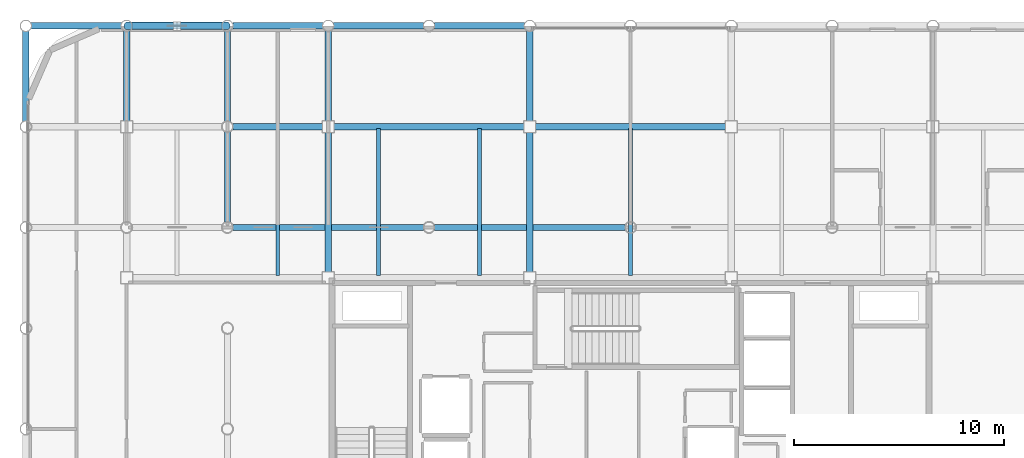
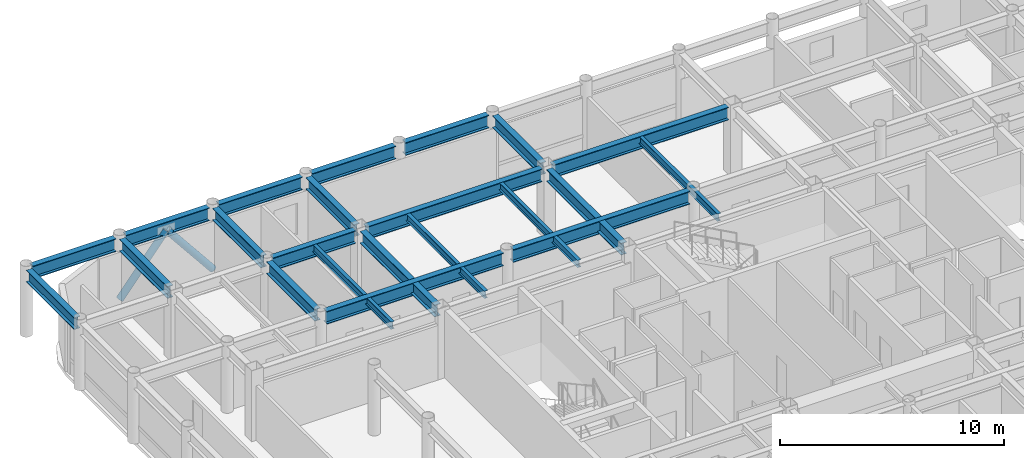
# One storey, part 12 of 22: 22 beams, 2 members.
"""IFC4 building model written with IfcOpenShell, lengths in metres."""

from ifc_helpers import new_model, si_unit, direction, frame, origin, origin_2d, place, context, subcontext, project, spatial, hollow_circle, i_section, extrude, material, material_profile, profile_set, type_object, element, save


model = new_model("IFC4")

# Units and contexts
model_context = context("Model", 3, precision=1e-05, world=origin(), true_north=direction((0.0, 1.0)))
body_context = subcontext(model_context, "Body", "Model", "MODEL_VIEW")
ifc_project = project(units=[si_unit("LENGTHUNIT", "METRE"), si_unit("AREAUNIT", "SQUARE_METRE"), si_unit("VOLUMEUNIT", "CUBIC_METRE"), si_unit("PLANEANGLEUNIT", "RADIAN"), si_unit("MASSUNIT", "GRAM", prefix="KILO")], contexts=[model_context])

# Site, building, storey
site_placement = place(None, origin())
site = spatial("IfcSite", under=ifc_project, at=site_placement, CompositionType="ELEMENT")
building_placement = place(site_placement, origin())
building = spatial("IfcBuilding", under=site, at=building_placement, Name="Kallvorn Hotel Tower", CompositionType="ELEMENT")
storey_placement = place(building_placement, frame((0.0, 0.0, 203.050048828125)))
storey = spatial("IfcBuildingStorey", under=building, at=storey_placement, Name="L50", CompositionType="ELEMENT", Elevation=203.050048828125)

# Beams
ifc_material_1 = material(Name="Structural steel S355JR", Category="steel")
ifc_material_profile_1 = material_profile(ifc_material_1, i_section(OverallWidth=0.300048828125, OverallDepth=0.64990234375, WebThickness=0.01611328125, FlangeThickness=0.031005859375, at=origin_2d()), Name="HE 650 B")
ifc_profile_set_1 = profile_set([ifc_material_profile_1], Name="Structural steel S355JR")
beam_type_1 = type_object("IfcBeamType", Name="BM_HE650B", PredefinedType="BEAM", material=ifc_profile_set_1)
beam_1_placement = place(storey_placement, frame((-28.800048828125, 14.654541015625, 3.344970703125), z_axis=(0.0, 1.0, 0.0), x_axis=(-1.0, 0.0, 0.0)))
element("IfcBeam", 1, at=beam_1_placement, inside=storey, type_object=beam_type_1, Name="L51 Primary Y-Girder 80", PredefinedType="BEAM", context=body_context, shape_type="SweptSolid", body=[
    extrude(i_section(OverallWidth=0.300048828125, OverallDepth=0.64990234375, WebThickness=0.01611328125, FlangeThickness=0.031005859375, at=origin_2d()), origin(), (0.0, 0.0, 1.0), 4.291015625),
])
beam_2_placement = place(storey_placement, frame((-24.0, 14.675048828125, 3.344970703125), z_axis=(0.0, 1.0, 0.0), x_axis=(-1.0, 0.0, 0.0)))
element("IfcBeam", 2, at=beam_2_placement, inside=storey, type_object=beam_type_1, Name="L51 Primary Y-Girder 87", PredefinedType="BEAM", context=body_context, shape_type="SweptSolid", body=[
    extrude(i_section(OverallWidth=0.300048828125, OverallDepth=0.64990234375, WebThickness=0.01611328125, FlangeThickness=0.031005859375, at=origin_2d()), origin(), (0.0, 0.0, 1.0), 4.2705078125),
])
for number, where, z_axis, x_axis, name in (
    (3, (-19.199951171875, 9.8544921875, 3.344970703125), (0.0, 1.0, 0.0), (-1.0, 0.0, 0.0), "L51 Primary Y-Girder 95"),
    (4, (-19.199951171875, 14.654541015625, 3.344970703125), (0.0, 1.0, 0.0), (-1.0, 0.0, 0.0), "L51 Primary Y-Girder 96"),
):
    element("IfcBeam", number, at=place(storey_placement, frame(where, z_axis=z_axis, x_axis=x_axis)), inside=storey, type_object=beam_type_1, Name=name, PredefinedType="BEAM", context=body_context, shape_type="SweptSolid", body=[
        extrude(i_section(OverallWidth=0.300048828125, OverallDepth=0.64990234375, WebThickness=0.01611328125, FlangeThickness=0.031005859375, at=origin_2d()), origin(), (0.0, 0.0, 1.0), 4.291015625),
    ])
beam_3_placement = place(storey_placement, frame((-14.39990234375, 7.47509765625, 3.344970703125), z_axis=(0.0, 1.0, 0.0), x_axis=(-1.0, 0.0, 0.0)))
element("IfcBeam", 5, at=beam_3_placement, inside=storey, type_object=beam_type_1, Name="L51 Primary Y-Girder 100", PredefinedType="BEAM", context=body_context, shape_type="SweptSolid", body=[
    extrude(i_section(OverallWidth=0.300048828125, OverallDepth=0.64990234375, WebThickness=0.01611328125, FlangeThickness=0.031005859375, at=origin_2d()), origin(), (0.0, 0.0, 1.0), 6.64990234375),
])
beam_4_placement = place(storey_placement, frame((-14.39990234375, 14.675048828125, 3.344970703125), z_axis=(0.0, 1.0, 0.0), x_axis=(-1.0, 0.0, 0.0)))
element("IfcBeam", 6, at=beam_4_placement, inside=storey, type_object=beam_type_1, Name="L51 Primary Y-Girder 101", PredefinedType="BEAM", context=body_context, shape_type="SweptSolid", body=[
    extrude(i_section(OverallWidth=0.300048828125, OverallDepth=0.64990234375, WebThickness=0.01611328125, FlangeThickness=0.031005859375, at=origin_2d()), origin(), (0.0, 0.0, 1.0), 4.2705078125),
])
beam_5_placement = place(storey_placement, frame((-4.800048828125, 7.47509765625, 3.344970703125), z_axis=(0.0, 1.0, 0.0), x_axis=(-1.0, 0.0, 0.0)))
element("IfcBeam", 7, at=beam_5_placement, inside=storey, type_object=beam_type_1, Name="L51 Primary Y-Girder 108", PredefinedType="BEAM", context=body_context, shape_type="SweptSolid", body=[
    extrude(i_section(OverallWidth=0.300048828125, OverallDepth=0.64990234375, WebThickness=0.01611328125, FlangeThickness=0.031005859375, at=origin_2d()), origin(), (0.0, 0.0, 1.0), 6.64990234375),
])
beam_6_placement = place(storey_placement, frame((-4.800048828125, 14.675048828125, 3.344970703125), z_axis=(0.0, 1.0, 0.0), x_axis=(-1.0, 0.0, 0.0)))
element("IfcBeam", 8, at=beam_6_placement, inside=storey, type_object=beam_type_1, Name="L51 Primary Y-Girder 109", PredefinedType="BEAM", context=body_context, shape_type="SweptSolid", body=[
    extrude(i_section(OverallWidth=0.300048828125, OverallDepth=0.64990234375, WebThickness=0.01611328125, FlangeThickness=0.031005859375, at=origin_2d()), origin(), (0.0, 0.0, 1.0), 4.2705078125),
])
ifc_material_2 = material(Name="Structural steel S355JR", Category="steel")
ifc_material_profile_2 = material_profile(ifc_material_2, i_section(OverallWidth=0.300048828125, OverallDepth=0.699951171875, WebThickness=0.01708984375, FlangeThickness=0.031982421875, at=origin_2d()), Name="HE 700 B")
ifc_profile_set_2 = profile_set([ifc_material_profile_2], Name="Structural steel S355JR")
beam_type_2 = type_object("IfcBeamType", Name="BM_HE700B", PredefinedType="BEAM", material=ifc_profile_set_2)
for number, where, z_axis, x_axis, name in (
    (9, (-18.945556640625, 9.60009765625, 3.320068359375), (1.0, 0.0, 0.0), (0.0, 1.0, 0.0), "L51 Primary X-Girder 44"),
    (10, (-9.345458984375, 9.60009765625, 3.320068359375), (1.0, 0.0, 0.0), (0.0, 1.0, 0.0), "L51 Primary X-Girder 45"),
):
    element("IfcBeam", number, at=place(storey_placement, frame(where, z_axis=z_axis, x_axis=x_axis)), inside=storey, type_object=beam_type_2, Name=name, PredefinedType="BEAM", context=body_context, shape_type="SweptSolid", body=[
        extrude(i_section(OverallWidth=0.300048828125, OverallDepth=0.699951171875, WebThickness=0.01708984375, FlangeThickness=0.031982421875, at=origin_2d()), origin(), (0.0, 0.0, 1.0), 9.091064453125),
    ])
beam_7_placement = place(storey_placement, frame((-18.945556640625, 14.39990234375, 3.320068359375), z_axis=(1.0, 0.0, 0.0), x_axis=(0.0, 1.0, 0.0)))
element("IfcBeam", 11, at=beam_7_placement, inside=storey, type_object=beam_type_2, Name="L51 Primary X-Girder 53", PredefinedType="BEAM", context=body_context, shape_type="SweptSolid", body=[
    extrude(i_section(OverallWidth=0.300048828125, OverallDepth=0.699951171875, WebThickness=0.01708984375, FlangeThickness=0.031982421875, at=origin_2d()), origin(), (0.0, 0.0, 1.0), 4.2705078125),
])
beam_8_placement = place(storey_placement, frame((-14.125, 14.39990234375, 3.320068359375), z_axis=(1.0, 0.0, 0.0), x_axis=(0.0, 1.0, 0.0)))
element("IfcBeam", 12, at=beam_8_placement, inside=storey, type_object=beam_type_2, Name="L51 Primary X-Girder 54", PredefinedType="BEAM", context=body_context, shape_type="SweptSolid", body=[
    extrude(i_section(OverallWidth=0.300048828125, OverallDepth=0.699951171875, WebThickness=0.01708984375, FlangeThickness=0.031982421875, at=origin_2d()), origin(), (0.0, 0.0, 1.0), 9.050048828125),
])
beam_9_placement = place(storey_placement, frame((-4.52490234375, 14.39990234375, 3.320068359375), z_axis=(1.0, 0.0, 0.0), x_axis=(0.0, 1.0, 0.0)))
element("IfcBeam", 13, at=beam_9_placement, inside=storey, type_object=beam_type_2, Name="L51 Primary X-Girder 55", PredefinedType="BEAM", context=body_context, shape_type="SweptSolid", body=[
    extrude(i_section(OverallWidth=0.300048828125, OverallDepth=0.699951171875, WebThickness=0.01708984375, FlangeThickness=0.031982421875, at=origin_2d()), origin(), (0.0, 0.0, 1.0), 9.0498046875),
])
for number, where, z_axis, x_axis, name in (
    (14, (-28.54541015625, 19.199951171875, 3.320068359375), (1.0, 0.0, 0.0), (0.0, 1.0, 0.0), "L51 Primary X-Girder 61"),
    (15, (-23.74560546875, 19.199951171875, 3.320068359375), (1.0, 0.0, 0.0), (0.0, 1.0, 0.0), "L51 Primary X-Girder 62"),
    (16, (-18.945556640625, 19.199951171875, 3.320068359375), (1.0, 0.0, 0.0), (0.0, 1.0, 0.0), "L51 Primary X-Girder 63"),
    (17, (-14.1455078125, 19.199951171875, 3.320068359375), (1.0, 0.0, 0.0), (0.0, 1.0, 0.0), "L51 Primary X-Girder 64"),
    (18, (-9.345458984375, 19.199951171875, 3.320068359375), (1.0, 0.0, 0.0), (0.0, 1.0, 0.0), "L51 Primary X-Girder 65"),
):
    element("IfcBeam", number, at=place(storey_placement, frame(where, z_axis=z_axis, x_axis=x_axis)), inside=storey, type_object=beam_type_2, Name=name, PredefinedType="BEAM", context=body_context, shape_type="SweptSolid", body=[
        extrude(i_section(OverallWidth=0.300048828125, OverallDepth=0.699951171875, WebThickness=0.01708984375, FlangeThickness=0.031982421875, at=origin_2d()), origin(), (0.0, 0.0, 1.0), 4.291015625),
    ])
ifc_material_3 = material(Name="Structural steel S355JR", Category="steel")
ifc_material_profile_3 = material_profile(ifc_material_3, i_section(OverallWidth=0.179931640625, OverallDepth=0.39990234375, WebThickness=0.008544921875, FlangeThickness=0.013427734375, at=origin_2d()), Name="IPE 400")
ifc_profile_set_3 = profile_set([ifc_material_profile_3], Name="Structural steel S355JR")
beam_type_3 = type_object("IfcBeamType", Name="BM_IPE400", PredefinedType="JOIST", material=ifc_profile_set_3)
for number, where, z_axis, x_axis, name in (
    (19, (-16.800048828125, 7.300048828125, 3.469970703125), (0.0, 1.0, 0.0), (-1.0, 0.0, 0.0), "L51 Secondary Composite Joist 195"),
    (20, (-12.0, 7.300048828125, 3.469970703125), (0.0, 1.0, 0.0), (-1.0, 0.0, 0.0), "L51 Secondary Composite Joist 197"),
    (21, (-7.199951171875, 7.300048828125, 3.469970703125), (0.0, 1.0, 0.0), (-1.0, 0.0, 0.0), "L51 Secondary Composite Joist 199"),
    (22, (0.0, 7.300048828125, 3.469970703125), (0.0, 1.0, 0.0), (-1.0, 0.0, 0.0), "L51 Secondary Composite Joist 201"),
):
    element("IfcBeam", number, at=place(storey_placement, frame(where, z_axis=z_axis, x_axis=x_axis)), inside=storey, type_object=beam_type_3, Name=name, PredefinedType="JOIST", context=body_context, shape_type="SweptSolid", body=[
        extrude(i_section(OverallWidth=0.179931640625, OverallDepth=0.39990234375, WebThickness=0.008544921875, FlangeThickness=0.013427734375, at=origin_2d()), origin(), (0.0, 0.0, 1.0), 7.0),
    ])

# Members
ifc_material_4 = material(Name="Structural steel S355J2H", Category="steel")
ifc_material_profile_4 = material_profile(ifc_material_4, hollow_circle(Radius=0.177734375, WallThickness=0.01416015625, at=origin_2d()), Name="CHS 355.6x14.2")
ifc_profile_set_4 = profile_set([ifc_material_profile_4], Name="Structural steel S355J2H")
member_type = type_object("IfcMemberType", Name="MBR_EXO_CHS355", PredefinedType="BRACE", material=ifc_profile_set_4)
for number, where, z_axis, x_axis, name in (
    (23, (-23.987548828125, 19.199951171875, 0.195556640625), (0.627270878626, 0.0, 0.778801158722), (0.0, 1.0, 0.0), "L50 Exoskeleton K-Brace N1A"),
    (24, (-19.21240234375, 19.199951171875, 0.195556640625), (-0.627270878626, 0.0, 0.778801158722), (0.0, -1.0, 0.0), "L50 Exoskeleton K-Brace N1B"),
):
    element("IfcMember", number, at=place(storey_placement, frame(where, z_axis=z_axis, x_axis=x_axis)), inside=storey, type_object=member_type, Name=name, PredefinedType="BRACE", context=body_context, shape_type="SweptSolid", body=[
        extrude(hollow_circle(Radius=0.177734375, WallThickness=0.01416015625, at=origin_2d()), origin(), (0.0, 0.0, 1.0), 3.7861328125),
    ])

save(model, "model.ifc")
